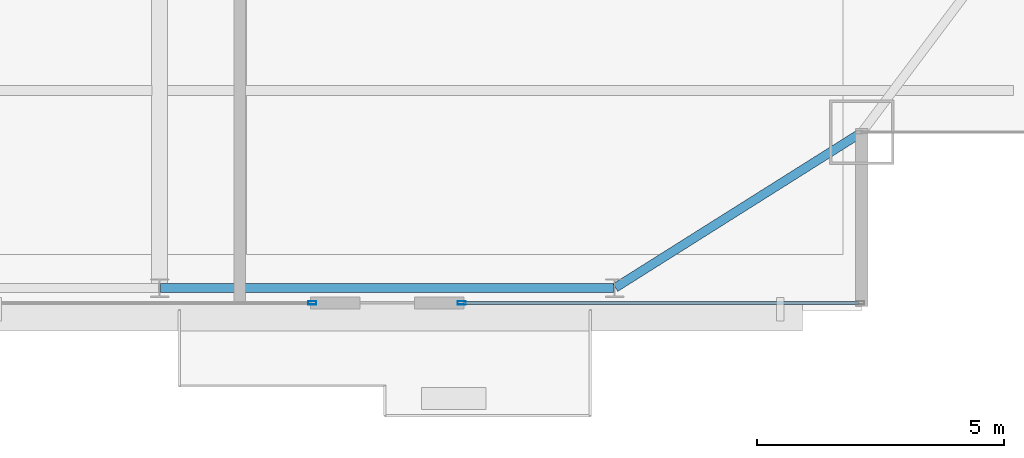
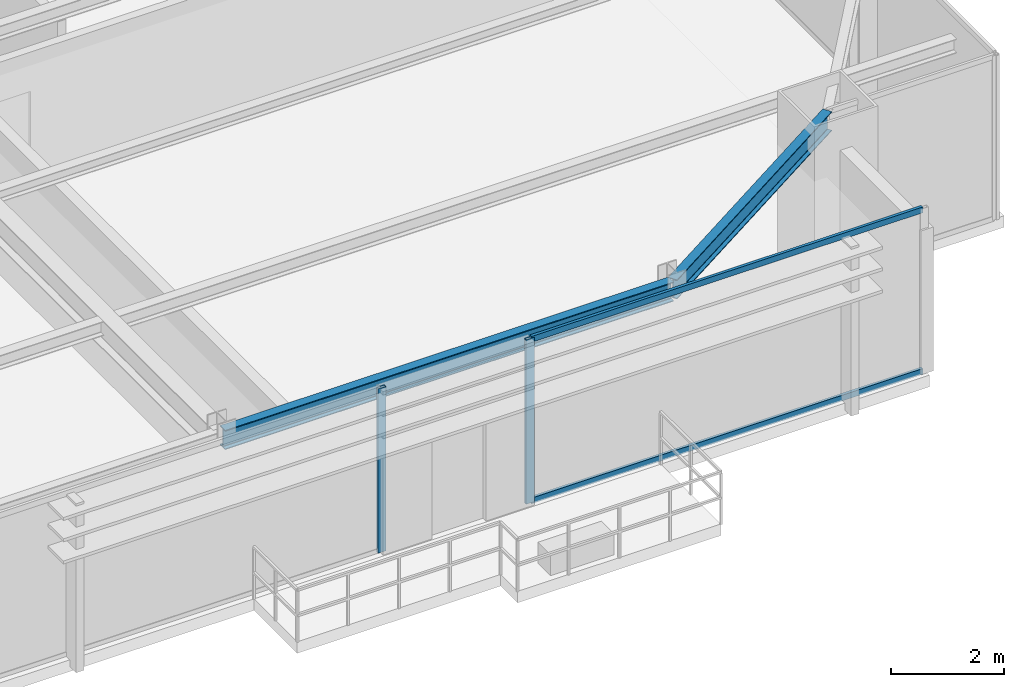
# One storey, part 14 of 31: 4 members, 2 beams, 2 elements without a shape of their own.
"""IFC4 building model written with IfcOpenShell, lengths in metres."""

import ifcopenshell
import ifcopenshell.guid

model = None  # the IFC model being written
_history = None  # IfcOwnerHistory: only IFC2X3 demands one
_inside = {}  # id of a spatial element -> (the spatial element, [elements in it])
_under = {}  # id of a project, library or spatial element -> (it, [spatial elements below it])
_declared = {}  # id of a project -> (the project, [libraries it declares])
_typed = {}  # id of a type object -> (the type object, [elements of that type])
_made_of = {}  # id of a material, layer set ... -> (it, [elements and type objects made of it])


def new_model(schema):
    """Start an empty IFC model of exactly this schema.

    Asked for "IFC4X3", IfcOpenShell would pick the latest addendum, in which some entities
    have other attributes; the version numbers below select the first issue.
    IFC2X3 requires an IfcOwnerHistory on every rooted entity: one is made here for all.
    """
    global model, _history
    if schema == "IFC4X3":
        model = ifcopenshell.file(schema_version=(4, 3, 0, 0))
    else:
        model = ifcopenshell.file(schema=schema)
    _inside.clear()
    _under.clear()
    _declared.clear()
    _typed.clear()
    _made_of.clear()
    _history = None
    if model.schema == "IFC2X3":
        org = make("IfcOrganization", Name="unknown")
        user = make(
            "IfcPersonAndOrganization",
            ThePerson=make("IfcPerson", FamilyName="unknown"),
            TheOrganization=org,
        )
        app = make(
            "IfcApplication",
            ApplicationDeveloper=org,
            Version="unknown",
            ApplicationFullName="unknown",
            ApplicationIdentifier="unknown",
        )
        _history = make(
            "IfcOwnerHistory",
            OwningUser=user,
            OwningApplication=app,
            ChangeAction="ADDED",
            CreationDate=0,
        )
    return model


def make(cls, **values):
    """One entity of the class cls with the attributes given. An attribute that is None is left unset."""
    return model.create_entity(
        cls, **{name: value for name, value in values.items() if value is not None}
    )


def rooted(cls, **values):
    """An entity with a GlobalId (a new one), such as an element, a storey or a relation."""
    return make(cls, GlobalId=ifcopenshell.guid.new(), OwnerHistory=_history, **values)


def si_unit(unit_type, name, prefix=None):
    """IfcSIUnit, for example si_unit("LENGTHUNIT", "METRE", prefix="MILLI")."""
    return make("IfcSIUnit", UnitType=unit_type, Prefix=prefix, Name=name)


def assignment(units):
    """IfcUnitAssignment: the units of a project."""
    return None if units is None else make("IfcUnitAssignment", Units=units)


def point(xyz):
    """IfcCartesianPoint."""
    return None if xyz is None else make("IfcCartesianPoint", Coordinates=xyz)


def direction(xyz):
    """IfcDirection."""
    return None if xyz is None else make("IfcDirection", DirectionRatios=xyz)


def frame(location, z_axis=None, x_axis=None):
    """IfcAxis2Placement3D, a coordinate frame: its origin and axes. An axis left out is left unset."""
    return make(
        "IfcAxis2Placement3D",
        Location=point(location),
        Axis=direction(z_axis),
        RefDirection=direction(x_axis),
    )


def frame_2d(location, x_axis=None):
    """IfcAxis2Placement2D, a coordinate frame in the plane: its origin and x axis."""
    return make(
        "IfcAxis2Placement2D", Location=point(location), RefDirection=direction(x_axis)
    )


def origin():
    """The frame at (0, 0, 0) with its axes left unset."""
    return frame((0.0, 0.0, 0.0))


def origin_2d():
    """The frame at (0, 0) in the plane with its x axis left unset."""
    return frame_2d((0.0, 0.0))


def place(relative_to, where):
    """IfcLocalPlacement: puts the frame where relative to a parent placement (None: the world)."""
    return make(
        "IfcLocalPlacement", PlacementRelTo=relative_to, RelativePlacement=where
    )


def context(
    kind, dimensions, precision=None, world=None, true_north=None, identifier=None
):
    """IfcGeometricRepresentationContext, for example the 3D "Model" context."""
    return make(
        "IfcGeometricRepresentationContext",
        ContextIdentifier=identifier,
        ContextType=kind,
        CoordinateSpaceDimension=dimensions,
        Precision=precision,
        WorldCoordinateSystem=world,
        TrueNorth=true_north,
    )


def subcontext(parent, identifier, kind, view, scale=None):
    """IfcGeometricRepresentationSubContext, for example "Body" below "Model"."""
    return make(
        "IfcGeometricRepresentationSubContext",
        ContextIdentifier=identifier,
        ContextType=kind,
        ParentContext=parent,
        TargetScale=scale,
        TargetView=view,
    )


def project(units=None, contexts=None):
    """IfcProject with its units and contexts."""
    return rooted(
        "IfcProject",
        Name="project",
        RepresentationContexts=contexts,
        UnitsInContext=assignment(units),
    )


def spatial(cls, under=None, at=None, **own):
    """A site, building, storey or space (cls), placed at a placement, below another one or the project."""
    s = rooted(cls, ObjectPlacement=at, **own)
    if under is not None:
        _under.setdefault(under.id(), (under, []))[1].append(s)
    return s


def profile(cls, at=None, kind="AREA", **sizes):
    """A parametric profile (cls). Its sizes go by their IFC names, for example OverallWidth=200.0."""
    return make(cls, ProfileType=kind, Position=at, **sizes)


def hollow_rectangle(**sizes):
    """IfcRectangleHollowProfileDef."""
    return profile("IfcRectangleHollowProfileDef", **sizes)


def i_section(**sizes):
    """IfcIShapeProfileDef."""
    return profile("IfcIShapeProfileDef", **sizes)


def extrude(swept, where, along, depth):
    """IfcExtrudedAreaSolid: the profile swept, set in the frame where, extruded along a direction by depth."""
    return make(
        "IfcExtrudedAreaSolid",
        SweptArea=swept,
        Position=where,
        ExtrudedDirection=direction(along),
        Depth=depth,
    )


def shape(context_of_items, identifier, shape_type, items):
    """IfcShapeRepresentation: the items that make up one representation, for example the "Body"."""
    return make(
        "IfcShapeRepresentation",
        ContextOfItems=context_of_items,
        RepresentationIdentifier=identifier,
        RepresentationType=shape_type,
        Items=items,
    )


def source(mapping_origin, context_of_items, identifier, shape_type, items):
    """IfcRepresentationMap: a shape defined once, which mapped items show again and again."""
    return make(
        "IfcRepresentationMap",
        MappingOrigin=mapping_origin,
        MappedRepresentation=shape(context_of_items, identifier, shape_type, items),
    )


def transform(
    local_origin,
    x_axis=None,
    y_axis=None,
    z_axis=None,
    scale=None,
    scale2=None,
    scale3=None,
    uniform=True,
):
    """IfcCartesianTransformationOperator3D, or its non-uniform kind. x_axis, y_axis, z_axis: its Axis1, 2, 3."""
    if uniform:
        return make(
            "IfcCartesianTransformationOperator3D",
            Axis1=direction(x_axis),
            Axis2=direction(y_axis),
            LocalOrigin=point(local_origin),
            Scale=scale,
            Axis3=direction(z_axis),
        )
    return make(
        "IfcCartesianTransformationOperator3DnonUniform",
        Axis1=direction(x_axis),
        Axis2=direction(y_axis),
        LocalOrigin=point(local_origin),
        Scale=scale,
        Axis3=direction(z_axis),
        Scale2=scale2,
        Scale3=scale3,
    )


def mapped(mapping_source, mapping_target):
    """IfcMappedItem: shows the shape of a source again, moved by a transform."""
    return make(
        "IfcMappedItem", MappingSource=mapping_source, MappingTarget=mapping_target
    )


def material(Name=None, Category=None):
    """IfcMaterial."""
    return make("IfcMaterial", Name=Name, Category=Category)


def layer(
    of_material, thickness, ventilated=None, Name=None, Category=None, Priority=None
):
    """IfcMaterialLayer: one layer of a wall or slab, of a material (None: an air gap)."""
    return make(
        "IfcMaterialLayer",
        Material=of_material,
        LayerThickness=thickness,
        IsVentilated=ventilated,
        Name=Name,
        Category=Category,
        Priority=Priority,
    )


def layer_set(layers, Name=None):
    """IfcMaterialLayerSet."""
    return make("IfcMaterialLayerSet", MaterialLayers=layers, LayerSetName=Name)


def material_profile(
    of_material, cross_section, Name=None, Category=None, Priority=None
):
    """IfcMaterialProfile: a cross section and its material."""
    return make(
        "IfcMaterialProfile",
        Name=Name,
        Material=of_material,
        Profile=cross_section,
        Priority=Priority,
        Category=Category,
    )


def profile_set(profiles, Name=None, composite=None):
    """IfcMaterialProfileSet."""
    return make(
        "IfcMaterialProfileSet",
        Name=Name,
        MaterialProfiles=profiles,
        CompositeProfile=composite,
    )


def made_of(thing, what):
    """Note that an element or type object is made of a material, layer set ...; save() writes the relation."""
    if what is not None:
        _made_of.setdefault(what.id(), (what, []))[1].append(thing)
    return thing


def type_object(cls, material=None, **own):
    """A type object (cls), such as IfcWallType, which elements share."""
    return made_of(rooted(cls, **own), material)


def type_shapes(of_type, sources):
    """Give a type object the sources (RepresentationMaps) that its elements show as mapped items."""
    of_type.RepresentationMaps = sources


def element(
    cls,
    number,
    at=None,
    inside=None,
    cuts=None,
    type_object=None,
    material=None,
    context=None,
    identifier="Body",
    shape_type=None,
    held_by="IfcProductDefinitionShape",
    body=None,
    shapes=None,
    **own,
):
    """One element of the class cls, such as IfcWall. Its Tag is "e" and its number.

    at: its placement. inside: the storey or other place that contains it. cuts: it is an
    opening in that element (IfcRelVoidsElement). A single representation is given by context,
    identifier, shape_type and body (its items); several are given by shapes. held_by: the class
    of the entity that holds the representations. save() writes the other relations.
    """
    e = rooted(cls, Tag="e%d" % number, ObjectPlacement=at, **own)
    if body is not None:
        shapes = [shape(context, identifier, shape_type, body)]
    if shapes is not None:
        e.Representation = make(held_by, Representations=shapes)
    if inside is not None:
        _inside.setdefault(inside.id(), (inside, []))[1].append(e)
    if cuts is not None:
        rooted(
            "IfcRelVoidsElement", RelatingBuildingElement=cuts, RelatedOpeningElement=e
        )
    if type_object is not None:
        _typed.setdefault(type_object.id(), (type_object, []))[1].append(e)
    return made_of(e, material)


def aggregate(whole, parts):
    """IfcRelAggregates: a whole, such as a stair, and the parts it consists of."""
    return rooted("IfcRelAggregates", RelatingObject=whole, RelatedObjects=parts)


def save(model, path):
    """Write the relations noted so far, then the file.

    IfcRelAggregates (storeys below a building ...), IfcRelContainedInSpatialStructure (elements
    in a storey), IfcRelDefinesByType, IfcRelAssociatesMaterial and IfcRelDeclares: one each for
    every whole, place, type object, material and project.
    """
    for whole, parts in _under.values():
        aggregate(whole, parts)
    for where, things in _inside.values():
        rooted(
            "IfcRelContainedInSpatialStructure",
            RelatedElements=things,
            RelatingStructure=where,
        )
    for kind, things in _typed.values():
        rooted("IfcRelDefinesByType", RelatedObjects=things, RelatingType=kind)
    for what, things in _made_of.values():
        rooted("IfcRelAssociatesMaterial", RelatedObjects=things, RelatingMaterial=what)
    for by, libraries in _declared.values():
        rooted("IfcRelDeclares", RelatingContext=by, RelatedDefinitions=libraries)
    model.write(path)


model = new_model("IFC4")

# Units and contexts
model_context = context("Model", 3, precision=1e-05, world=origin(), true_north=direction((0.0, 1.0)))
body_context = subcontext(model_context, "Body", "Model", "MODEL_VIEW")
ifc_project = project(units=[si_unit("LENGTHUNIT", "METRE"), si_unit("AREAUNIT", "SQUARE_METRE"), si_unit("VOLUMEUNIT", "CUBIC_METRE"), si_unit("PLANEANGLEUNIT", "RADIAN"), si_unit("MASSUNIT", "GRAM", prefix="KILO")], contexts=[model_context])

# Site, building, storey
site_placement = place(None, origin())
site = spatial("IfcSite", under=ifc_project, at=site_placement, CompositionType="ELEMENT")
building_placement = place(site_placement, origin())
building = spatial("IfcBuilding", under=site, at=building_placement, Name="Varnel Quay Broadcast Tower", CompositionType="ELEMENT")
storey_placement = place(building_placement, frame((0.0, 0.0, 153.39990234375)))
storey = spatial("IfcBuildingStorey", under=building, at=storey_placement, Name="L37", CompositionType="ELEMENT", Elevation=153.39990234375)

# Beams
ifc_material_1 = material(Name="Structural Steel CSA G40.21 350W", Category="steel")
ifc_material_profile_1 = material_profile(ifc_material_1, i_section(OverallWidth=0.180908203125, OverallDepth=0.4169921875, WebThickness=0.010986328125, FlangeThickness=0.018310546875, FilletRadius=0.011962890625, at=origin_2d()), Name="W410X85")
ifc_profile_set_1 = profile_set([ifc_material_profile_1], Name="Structural Steel CSA G40.21 350W")
beam_type = type_object("IfcBeamType", Name="Beam_W410X85", PredefinedType="SPANDREL", material=ifc_profile_set_1)
shared_shape_1 = source(origin(), body_context, "Body", "SweptSolid", [
    extrude(i_section(OverallWidth=0.180908203125, OverallDepth=0.4169921875, WebThickness=0.010986328125, FlangeThickness=0.018310546875, FilletRadius=0.011962890625, at=origin_2d()), origin(), (0.0, 0.0, 1.0), 9.159912109375),
])
beam_1_placement = place(storey_placement, frame((43.219970703125, 7.64990234375, 3.341552734375), z_axis=(1.0, 0.0, 0.0), x_axis=(0.0, 1.0, 0.0)))
element("IfcBeam", 1, at=beam_1_placement, inside=storey, type_object=beam_type, Name="L37 South Spandrel TC-S4-TC-S5", PredefinedType="SPANDREL", context=body_context, shape_type="MappedRepresentation", body=[
    mapped(shared_shape_1, transform((0.0, 0.0, 0.0), x_axis=(1.0, 0.0, 0.0), y_axis=(0.0, 1.0, 0.0), z_axis=(0.0, 0.0, 1.0), scale=1.0)),
])
shared_shape_2 = source(origin(), body_context, "Body", "SweptSolid", [
    extrude(i_section(OverallWidth=0.180908203125, OverallDepth=0.4169921875, WebThickness=0.010986328125, FlangeThickness=0.018310546875, FilletRadius=0.011962890625, at=origin_2d()), origin(), (0.0, 0.0, 1.0), 5.869384765625),
])
type_shapes(beam_type, [shared_shape_1, shared_shape_2])
beam_2_placement = place(storey_placement, frame((52.4169921875, 7.66064453125, 3.341552734375), z_axis=(0.846088328928, 0.533042718412, 0.0), x_axis=(-0.533042718412, 0.846088328928, 0.0)))
element("IfcBeam", 2, at=beam_2_placement, inside=storey, type_object=beam_type, Name="L37 South Spandrel TC-S5-MC-SE", PredefinedType="SPANDREL", context=body_context, shape_type="MappedRepresentation", body=[
    mapped(shared_shape_2, transform((0.0, 0.0, 0.0), x_axis=(1.0, 0.0, 0.0), y_axis=(0.0, 1.0, 0.0), z_axis=(0.0, 0.0, 1.0), scale=1.0)),
])

# Curtain wall, member
ifc_material_2 = material(Name="Anodised Bronze Aluminium 6063-T6", Category="aluminium")
ifc_layer = layer(ifc_material_2, 0.18994140625, Name="Anodised Bronze Aluminium 6063-T6")
ifc_layer_set = layer_set([ifc_layer], Name="Anodised Bronze Aluminium 6063-T6")
curtain_wall_type = type_object("IfcCurtainWallType", Name="CW_UpperTower", PredefinedType="NOTDEFINED", material=ifc_layer_set)
curtain_wall_1_placement = place(storey_placement, origin())
curtain_wall_1 = element("IfcCurtainWall", 3, at=curtain_wall_1_placement, inside=storey, type_object=curtain_wall_type, Name="L37 South Unitised Curtain Wall 2", PredefinedType="NOTDEFINED")
ifc_material_profile_2 = material_profile(ifc_material_2, hollow_rectangle(XDim=0.06494140625, YDim=0.1650390625, WallThickness=0.00341796875, at=origin_2d()), Name="ALU65X165X3.5")
ifc_profile_set_2 = profile_set([ifc_material_profile_2], Name="Anodised Bronze Aluminium 6063-T6")
member_type_1 = type_object("IfcMemberType", Name="Mull_CWS-03", PredefinedType="MULLION", material=ifc_profile_set_2)
shared_shape_3 = source(origin(), body_context, "Body", "SweptSolid", [
    extrude(hollow_rectangle(XDim=0.06494140625, YDim=0.1650390625, WallThickness=0.00341796875, at=origin_2d()), origin(), (0.0, 0.0, 1.0), 3.550048828125),
])
type_shapes(member_type_1, [shared_shape_3])
member_1_placement = place(storey_placement, frame((46.28759765625, 7.35009765625, 0.0), z_axis=(0.0, 0.0, 1.0), x_axis=(0.0, 1.0, 0.0)))
member_1 = element("IfcMember", 4, at=member_1_placement, type_object=member_type_1, Name="CWS-03 mullion 3", PredefinedType="MULLION", context=body_context, shape_type="MappedRepresentation", body=[
    mapped(shared_shape_3, transform((0.0, 0.0, 0.0), x_axis=(1.0, 0.0, 0.0), y_axis=(0.0, 1.0, 0.0), z_axis=(0.0, 0.0, 1.0), scale=1.0)),
])
aggregate(curtain_wall_1, [member_1])

# Curtain wall, members
curtain_wall_2_placement = place(storey_placement, origin())
curtain_wall_2 = element("IfcCurtainWall", 5, at=curtain_wall_2_placement, inside=storey, type_object=curtain_wall_type, Name="L37 South Unitised Curtain Wall 3", PredefinedType="NOTDEFINED")
member_2_placement = place(storey_placement, frame((49.3125, 7.35009765625, 0.0), z_axis=(0.0, 0.0, 1.0), x_axis=(0.0, 1.0, 0.0)))
member_2 = element("IfcMember", 6, at=member_2_placement, type_object=member_type_1, Name="CWS-03 mullion 1", PredefinedType="MULLION", context=body_context, shape_type="MappedRepresentation", body=[
    mapped(shared_shape_3, transform((0.0, 0.0, 0.0), x_axis=(1.0, 0.0, 0.0), y_axis=(0.0, 1.0, 0.0), z_axis=(0.0, 0.0, 1.0), scale=1.0)),
])
ifc_material_profile_3 = material_profile(ifc_material_2, hollow_rectangle(XDim=0.06005859375, YDim=0.125, WallThickness=0.0029296875, at=origin_2d()), Name="ALU60X125X3")
ifc_profile_set_3 = profile_set([ifc_material_profile_3], Name="Anodised Bronze Aluminium 6063-T6")
member_type_2 = type_object("IfcMemberType", Name="Tran_CWS-03", PredefinedType="USERDEFINED", material=ifc_profile_set_3)
shared_shape_4 = source(origin(), body_context, "Body", "SweptSolid", [
    extrude(hollow_rectangle(XDim=0.06005859375, YDim=0.125, WallThickness=0.0029296875, at=origin_2d()), origin(), (0.0, 0.0, 1.0), 7.989990234375),
])
type_shapes(member_type_2, [shared_shape_4])
member_3_placement = place(storey_placement, frame((49.344970703125, 7.35009765625, 0.030029296875), z_axis=(1.0, 0.0, 0.0), x_axis=(0.0, 1.0, 0.0)))
member_3 = element("IfcMember", 7, at=member_3_placement, type_object=member_type_2, Name="CWS-03 transom 1.1", ObjectType="TRANSOM", PredefinedType="USERDEFINED", context=body_context, shape_type="MappedRepresentation", body=[
    mapped(shared_shape_4, transform((0.0, 0.0, 0.0), x_axis=(1.0, 0.0, 0.0), y_axis=(0.0, 1.0, 0.0), z_axis=(0.0, 0.0, 1.0), scale=1.0)),
])
member_4_placement = place(storey_placement, frame((49.344970703125, 7.35009765625, 3.52001953125), z_axis=(1.0, 0.0, 0.0), x_axis=(0.0, 1.0, 0.0)))
member_4 = element("IfcMember", 8, at=member_4_placement, type_object=member_type_2, Name="CWS-03 transom 1.2", ObjectType="TRANSOM", PredefinedType="USERDEFINED", context=body_context, shape_type="MappedRepresentation", body=[
    mapped(shared_shape_4, transform((0.0, 0.0, 0.0), x_axis=(1.0, 0.0, 0.0), y_axis=(0.0, 1.0, 0.0), z_axis=(0.0, 0.0, 1.0), scale=1.0)),
])
aggregate(curtain_wall_2, [member_2, member_3, member_4])

save(model, "model.ifc")
